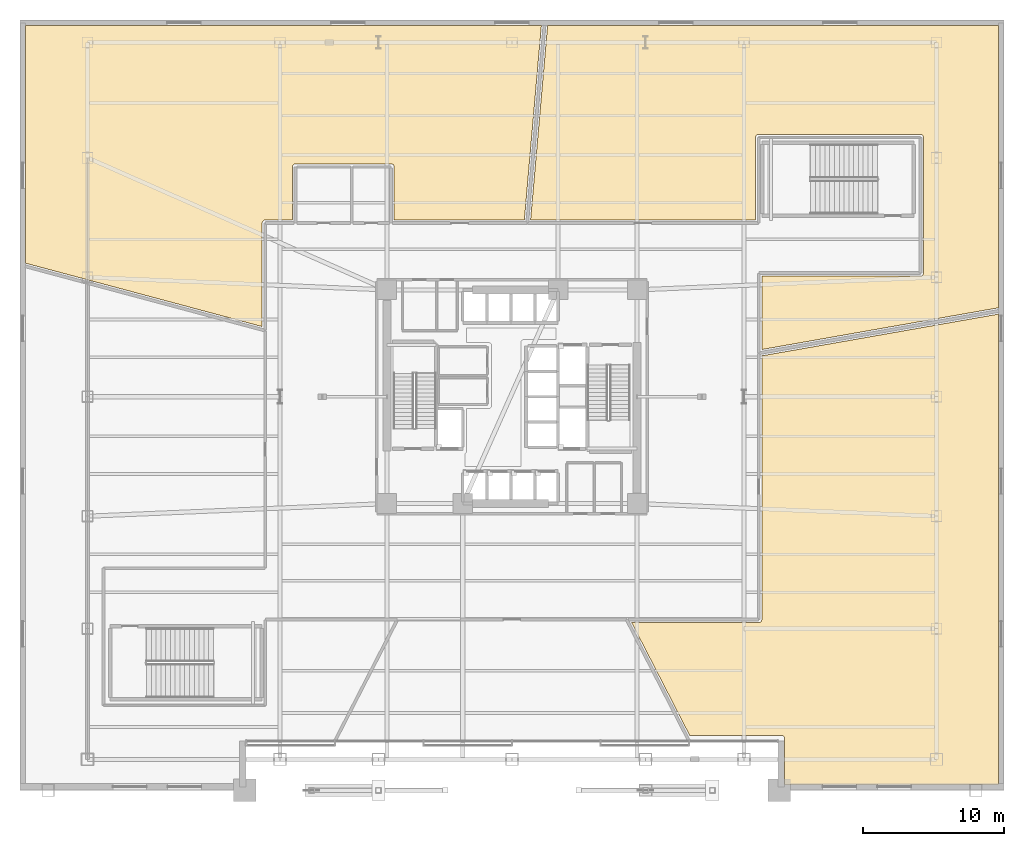
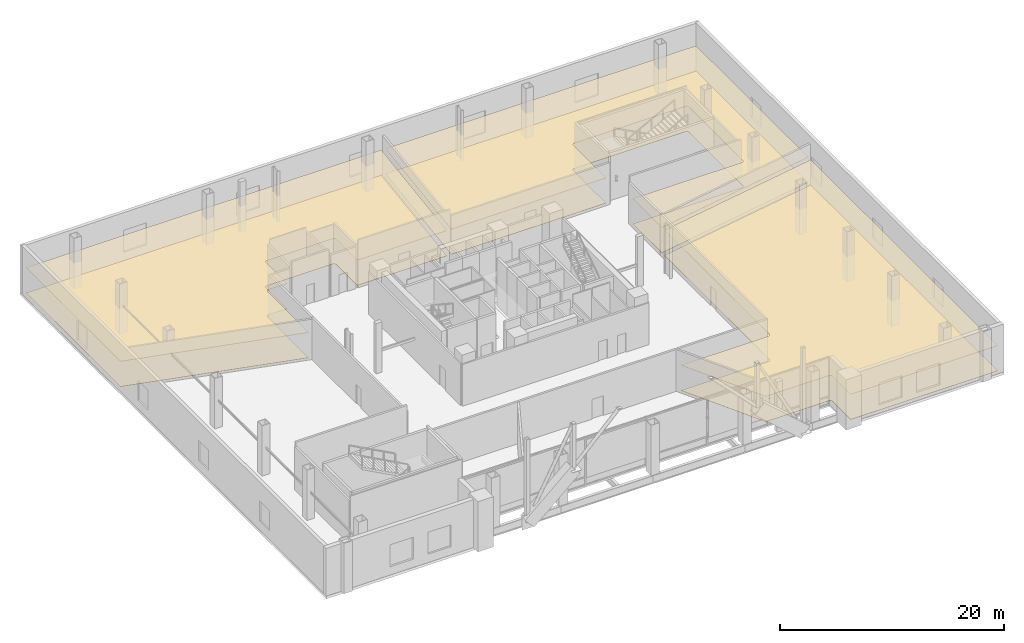
# One storey, part 15 of 16: 6 coverings.
"""IFC4 building model written with IfcOpenShell, lengths in metres."""

import ifcopenshell
import ifcopenshell.guid

model = None  # the IFC model being written
_history = None  # IfcOwnerHistory: only IFC2X3 demands one
_inside = {}  # id of a spatial element -> (the spatial element, [elements in it])
_under = {}  # id of a project, library or spatial element -> (it, [spatial elements below it])
_declared = {}  # id of a project -> (the project, [libraries it declares])
_typed = {}  # id of a type object -> (the type object, [elements of that type])
_made_of = {}  # id of a material, layer set ... -> (it, [elements and type objects made of it])


def new_model(schema):
    """Start an empty IFC model of exactly this schema.

    Asked for "IFC4X3", IfcOpenShell would pick the latest addendum, in which some entities
    have other attributes; the version numbers below select the first issue.
    IFC2X3 requires an IfcOwnerHistory on every rooted entity: one is made here for all.
    """
    global model, _history
    if schema == "IFC4X3":
        model = ifcopenshell.file(schema_version=(4, 3, 0, 0))
    else:
        model = ifcopenshell.file(schema=schema)
    _inside.clear()
    _under.clear()
    _declared.clear()
    _typed.clear()
    _made_of.clear()
    _history = None
    if model.schema == "IFC2X3":
        org = make("IfcOrganization", Name="unknown")
        user = make(
            "IfcPersonAndOrganization",
            ThePerson=make("IfcPerson", FamilyName="unknown"),
            TheOrganization=org,
        )
        app = make(
            "IfcApplication",
            ApplicationDeveloper=org,
            Version="unknown",
            ApplicationFullName="unknown",
            ApplicationIdentifier="unknown",
        )
        _history = make(
            "IfcOwnerHistory",
            OwningUser=user,
            OwningApplication=app,
            ChangeAction="ADDED",
            CreationDate=0,
        )
    return model


def make(cls, **values):
    """One entity of the class cls with the attributes given. An attribute that is None is left unset."""
    return model.create_entity(
        cls, **{name: value for name, value in values.items() if value is not None}
    )


def rooted(cls, **values):
    """An entity with a GlobalId (a new one), such as an element, a storey or a relation."""
    return make(cls, GlobalId=ifcopenshell.guid.new(), OwnerHistory=_history, **values)


def si_unit(unit_type, name, prefix=None):
    """IfcSIUnit, for example si_unit("LENGTHUNIT", "METRE", prefix="MILLI")."""
    return make("IfcSIUnit", UnitType=unit_type, Prefix=prefix, Name=name)


def assignment(units):
    """IfcUnitAssignment: the units of a project."""
    return None if units is None else make("IfcUnitAssignment", Units=units)


def point(xyz):
    """IfcCartesianPoint."""
    return None if xyz is None else make("IfcCartesianPoint", Coordinates=xyz)


def direction(xyz):
    """IfcDirection."""
    return None if xyz is None else make("IfcDirection", DirectionRatios=xyz)


def frame(location, z_axis=None, x_axis=None):
    """IfcAxis2Placement3D, a coordinate frame: its origin and axes. An axis left out is left unset."""
    return make(
        "IfcAxis2Placement3D",
        Location=point(location),
        Axis=direction(z_axis),
        RefDirection=direction(x_axis),
    )


def origin():
    """The frame at (0, 0, 0) with its axes left unset."""
    return frame((0.0, 0.0, 0.0))


def place(relative_to, where):
    """IfcLocalPlacement: puts the frame where relative to a parent placement (None: the world)."""
    return make(
        "IfcLocalPlacement", PlacementRelTo=relative_to, RelativePlacement=where
    )


def context(
    kind, dimensions, precision=None, world=None, true_north=None, identifier=None
):
    """IfcGeometricRepresentationContext, for example the 3D "Model" context."""
    return make(
        "IfcGeometricRepresentationContext",
        ContextIdentifier=identifier,
        ContextType=kind,
        CoordinateSpaceDimension=dimensions,
        Precision=precision,
        WorldCoordinateSystem=world,
        TrueNorth=true_north,
    )


def subcontext(parent, identifier, kind, view, scale=None):
    """IfcGeometricRepresentationSubContext, for example "Body" below "Model"."""
    return make(
        "IfcGeometricRepresentationSubContext",
        ContextIdentifier=identifier,
        ContextType=kind,
        ParentContext=parent,
        TargetScale=scale,
        TargetView=view,
    )


def project(units=None, contexts=None):
    """IfcProject with its units and contexts."""
    return rooted(
        "IfcProject",
        Name="project",
        RepresentationContexts=contexts,
        UnitsInContext=assignment(units),
    )


def spatial(cls, under=None, at=None, **own):
    """A site, building, storey or space (cls), placed at a placement, below another one or the project."""
    s = rooted(cls, ObjectPlacement=at, **own)
    if under is not None:
        _under.setdefault(under.id(), (under, []))[1].append(s)
    return s


def polyline(points):
    """IfcPolyline through the points."""
    return make("IfcPolyline", Points=[point(p) for p in points])


def outline(outer, holes=None, kind="AREA"):
    """IfcArbitraryClosedProfileDef: a profile drawn as a closed curve; with holes, ...WithVoids."""
    if holes is None:
        return make("IfcArbitraryClosedProfileDef", ProfileType=kind, OuterCurve=outer)
    return make(
        "IfcArbitraryProfileDefWithVoids",
        ProfileType=kind,
        OuterCurve=outer,
        InnerCurves=holes,
    )


def extrude(swept, where, along, depth):
    """IfcExtrudedAreaSolid: the profile swept, set in the frame where, extruded along a direction by depth."""
    return make(
        "IfcExtrudedAreaSolid",
        SweptArea=swept,
        Position=where,
        ExtrudedDirection=direction(along),
        Depth=depth,
    )


def shape(context_of_items, identifier, shape_type, items):
    """IfcShapeRepresentation: the items that make up one representation, for example the "Body"."""
    return make(
        "IfcShapeRepresentation",
        ContextOfItems=context_of_items,
        RepresentationIdentifier=identifier,
        RepresentationType=shape_type,
        Items=items,
    )


def material(Name=None, Category=None):
    """IfcMaterial."""
    return make("IfcMaterial", Name=Name, Category=Category)


def layer(
    of_material, thickness, ventilated=None, Name=None, Category=None, Priority=None
):
    """IfcMaterialLayer: one layer of a wall or slab, of a material (None: an air gap)."""
    return make(
        "IfcMaterialLayer",
        Material=of_material,
        LayerThickness=thickness,
        IsVentilated=ventilated,
        Name=Name,
        Category=Category,
        Priority=Priority,
    )


def layer_set(layers, Name=None):
    """IfcMaterialLayerSet."""
    return make("IfcMaterialLayerSet", MaterialLayers=layers, LayerSetName=Name)


def made_of(thing, what):
    """Note that an element or type object is made of a material, layer set ...; save() writes the relation."""
    if what is not None:
        _made_of.setdefault(what.id(), (what, []))[1].append(thing)
    return thing


def type_object(cls, material=None, **own):
    """A type object (cls), such as IfcWallType, which elements share."""
    return made_of(rooted(cls, **own), material)


def element(
    cls,
    number,
    at=None,
    inside=None,
    cuts=None,
    type_object=None,
    material=None,
    context=None,
    identifier="Body",
    shape_type=None,
    held_by="IfcProductDefinitionShape",
    body=None,
    shapes=None,
    **own,
):
    """One element of the class cls, such as IfcWall. Its Tag is "e" and its number.

    at: its placement. inside: the storey or other place that contains it. cuts: it is an
    opening in that element (IfcRelVoidsElement). A single representation is given by context,
    identifier, shape_type and body (its items); several are given by shapes. held_by: the class
    of the entity that holds the representations. save() writes the other relations.
    """
    e = rooted(cls, Tag="e%d" % number, ObjectPlacement=at, **own)
    if body is not None:
        shapes = [shape(context, identifier, shape_type, body)]
    if shapes is not None:
        e.Representation = make(held_by, Representations=shapes)
    if inside is not None:
        _inside.setdefault(inside.id(), (inside, []))[1].append(e)
    if cuts is not None:
        rooted(
            "IfcRelVoidsElement", RelatingBuildingElement=cuts, RelatedOpeningElement=e
        )
    if type_object is not None:
        _typed.setdefault(type_object.id(), (type_object, []))[1].append(e)
    return made_of(e, material)


def aggregate(whole, parts):
    """IfcRelAggregates: a whole, such as a stair, and the parts it consists of."""
    return rooted("IfcRelAggregates", RelatingObject=whole, RelatedObjects=parts)


def save(model, path):
    """Write the relations noted so far, then the file.

    IfcRelAggregates (storeys below a building ...), IfcRelContainedInSpatialStructure (elements
    in a storey), IfcRelDefinesByType, IfcRelAssociatesMaterial and IfcRelDeclares: one each for
    every whole, place, type object, material and project.
    """
    for whole, parts in _under.values():
        aggregate(whole, parts)
    for where, things in _inside.values():
        rooted(
            "IfcRelContainedInSpatialStructure",
            RelatedElements=things,
            RelatingStructure=where,
        )
    for kind, things in _typed.values():
        rooted("IfcRelDefinesByType", RelatedObjects=things, RelatingType=kind)
    for what, things in _made_of.values():
        rooted("IfcRelAssociatesMaterial", RelatedObjects=things, RelatingMaterial=what)
    for by, libraries in _declared.values():
        rooted("IfcRelDeclares", RelatingContext=by, RelatedDefinitions=libraries)
    model.write(path)


model = new_model("IFC4")

# Units and contexts
model_context = context("Model", 3, precision=1e-05, world=origin(), true_north=direction((0.0, 1.0)))
body_context = subcontext(model_context, "Body", "Model", "MODEL_VIEW")
ifc_project = project(units=[si_unit("LENGTHUNIT", "METRE"), si_unit("AREAUNIT", "SQUARE_METRE"), si_unit("VOLUMEUNIT", "CUBIC_METRE"), si_unit("PLANEANGLEUNIT", "RADIAN"), si_unit("MASSUNIT", "GRAM", prefix="KILO")], contexts=[model_context])

# Site, building, storey
site_placement = place(None, origin())
site = spatial("IfcSite", under=ifc_project, at=site_placement, CompositionType="ELEMENT")
building_placement = place(site_placement, origin())
building = spatial("IfcBuilding", under=site, at=building_placement, Name="Tharavind Bronze Gate", CompositionType="ELEMENT")
storey_placement = place(building_placement, frame((0.0, 0.0, 5.5)))
storey = spatial("IfcBuildingStorey", under=building, at=storey_placement, Name="L01", CompositionType="ELEMENT", Elevation=5.5)

# Coverings
ifc_material_1 = material(Name="Perforated Bronze Acoustic Panel", Category="bronze")
ifc_layer_1 = layer(ifc_material_1, 0.044921875)
ifc_layer_set_1 = layer_set([ifc_layer_1], Name="Perforated Bronze Acoustic Panel")
covering_type_1 = type_object("IfcCoveringType", Name="ACOUSTIC BRONZE BAFFLE CEILING", PredefinedType="CEILING", material=ifc_layer_set_1)
covering_1_placement = place(storey_placement, frame((0.0, 0.0, 2.75)))
element("IfcCovering", 1, at=covering_1_placement, inside=storey, type_object=covering_type_1, Name="L01-PD-01 suspended ceiling", PredefinedType="CEILING", context=body_context, shape_type="SweptSolid", body=[
    extrude(outline(polyline([(17.330078125, 12.570068359375), (17.330078125, 18.449462890625), (17.330322265625, 18.460205078125), (17.330322265625, 18.460693359375), (17.33251953125, 18.482421875), (17.336669921875, 18.50341796875), (17.343017578125, 18.524169921875), (17.351318359375, 18.5439453125), (17.361328125, 18.56298828125), (17.373291015625, 18.5810546875), (17.386962890625, 18.59765625), (17.40234375, 18.613037109375), (17.4189453125, 18.626708984375), (17.43701171875, 18.638671875), (17.4560546875, 18.648681640625), (17.475830078125, 18.656982421875), (17.49658203125, 18.663330078125), (17.517578125, 18.66748046875), (17.539306640625, 18.669677734375), (17.539794921875, 18.669677734375), (17.550537109375, 18.669921875), (29.04931640625, 18.669921875), (29.060302734375, 18.669677734375), (29.060791015625, 18.669677734375), (29.082275390625, 18.66748046875), (29.103515625, 18.663330078125), (29.1240234375, 18.656982421875), (29.14404296875, 18.648681640625), (29.1630859375, 18.638671875), (29.180908203125, 18.626708984375), (29.19775390625, 18.613037109375), (29.212890625, 18.59765625), (29.226806640625, 18.5810546875), (29.23876953125, 18.56298828125), (29.248779296875, 18.5439453125), (29.257080078125, 18.524169921875), (29.263427734375, 18.50341796875), (29.267578125, 18.482421875), (29.269775390625, 18.460693359375), (29.269775390625, 18.460205078125), (29.27001953125, 18.449462890625), (29.27001953125, 8.800537109375), (29.269775390625, 8.789794921875), (29.269775390625, 8.789306640625), (29.267578125, 8.767578125), (29.263427734375, 8.74658203125), (29.257080078125, 8.725830078125), (29.248779296875, 8.7060546875), (29.23876953125, 8.68701171875), (29.226806640625, 8.6689453125), (29.212890625, 8.65234375), (29.19775390625, 8.636962890625), (29.180908203125, 8.623291015625), (29.1630859375, 8.611328125), (29.14404296875, 8.601318359375), (29.1240234375, 8.593017578125), (29.103515625, 8.586669921875), (29.082275390625, 8.58251953125), (29.060791015625, 8.580322265625), (29.060302734375, 8.580322265625), (29.04931640625, 8.580078125), (17.77001953125, 8.580078125), (17.77001953125, 3.356689453125), (34.60009765625, 6.32421875), (34.60009765625, 26.39990234375), (2.530517578125, 26.39990234375), (1.320556640625, 12.570068359375), (17.330078125, 12.570068359375)])), origin(), (0.0, 0.0, 1.0), 0.034912109375),
])
covering_2_placement = place(storey_placement, frame((0.0, 0.0, 2.75)))
element("IfcCovering", 2, at=covering_2_placement, inside=storey, type_object=covering_type_1, Name="L01-PD-02 suspended ceiling", PredefinedType="CEILING", context=body_context, shape_type="SweptSolid", body=[
    extrude(outline(polyline([(-34.60009765625, 9.498779296875), (-17.77001953125, 4.9892578125), (-17.77001953125, 12.349365234375), (-17.769775390625, 12.360107421875), (-17.769775390625, 12.36083984375), (-17.767578125, 12.38232421875), (-17.763427734375, 12.4033203125), (-17.757080078125, 12.424072265625), (-17.748779296875, 12.444091796875), (-17.73876953125, 12.463134765625), (-17.726806640625, 12.48095703125), (-17.712890625, 12.497802734375), (-17.69775390625, 12.512939453125), (-17.680908203125, 12.526611328125), (-17.6630859375, 12.538818359375), (-17.64404296875, 12.548828125), (-17.6240234375, 12.55712890625), (-17.603515625, 12.5634765625), (-17.582275390625, 12.567626953125), (-17.560791015625, 12.569580078125), (-17.560302734375, 12.569580078125), (-17.54931640625, 12.570068359375), (-15.6201171875, 12.570068359375), (-15.6201171875, 16.349365234375), (-15.61962890625, 16.360107421875), (-15.61962890625, 16.36083984375), (-15.61767578125, 16.38232421875), (-15.61328125, 16.4033203125), (-15.607177734375, 16.424072265625), (-15.598876953125, 16.444091796875), (-15.588623046875, 16.463134765625), (-15.57666015625, 16.48095703125), (-15.56298828125, 16.497802734375), (-15.547607421875, 16.512939453125), (-15.531005859375, 16.526611328125), (-15.51318359375, 16.538818359375), (-15.493896484375, 16.548828125), (-15.47412109375, 16.55712890625), (-15.453369140625, 16.5634765625), (-15.432373046875, 16.567626953125), (-15.410888671875, 16.569580078125), (-15.41015625, 16.569580078125), (-15.3994140625, 16.570068359375), (-8.6005859375, 16.570068359375), (-8.58984375, 16.569580078125), (-8.589111328125, 16.569580078125), (-8.567626953125, 16.567626953125), (-8.546630859375, 16.5634765625), (-8.52587890625, 16.55712890625), (-8.506103515625, 16.548828125), (-8.48681640625, 16.538818359375), (-8.468994140625, 16.526611328125), (-8.452392578125, 16.512939453125), (-8.43701171875, 16.497802734375), (-8.42333984375, 16.48095703125), (-8.411376953125, 16.463134765625), (-8.401123046875, 16.444091796875), (-8.392822265625, 16.424072265625), (-8.38671875, 16.4033203125), (-8.38232421875, 16.38232421875), (-8.38037109375, 16.36083984375), (-8.38037109375, 16.360107421875), (-8.3798828125, 16.349365234375), (-8.3798828125, 12.570068359375), (0.87890625, 12.570068359375), (2.0888671875, 26.39990234375), (-34.60009765625, 26.39990234375), (-34.60009765625, 9.498779296875)])), origin(), (0.0, 0.0, 1.0), 0.034912109375),
])
ifc_material_2 = material(Name="Engineered Oak & Carpet Tile", Category="wood")
ifc_layer_2 = layer(ifc_material_2, 0.02490234375)
ifc_layer_set_2 = layer_set([ifc_layer_2], Name="Engineered Oak & Carpet Tile")
covering_type_2 = type_object("IfcCoveringType", Name="ENGINEERED TIMBER FLOORING", PredefinedType="FLOORING", material=ifc_layer_set_2)
covering_3_placement = place(storey_placement, origin())
element("IfcCovering", 3, at=covering_3_placement, inside=storey, type_object=covering_type_2, Name="L01-PD-05 floor finish", PredefinedType="FLOORING", context=body_context, shape_type="SweptSolid", body=[
    extrude(outline(polyline([(12.643798828125, -24.10009765625), (19.179443359375, -24.10009765625), (19.190185546875, -24.100341796875), (19.19091796875, -24.100341796875), (19.21240234375, -24.102294921875), (19.2333984375, -24.106689453125), (19.254150390625, -24.11279296875), (19.27392578125, -24.12109375), (19.293212890625, -24.13134765625), (19.31103515625, -24.143310546875), (19.32763671875, -24.156982421875), (19.343017578125, -24.17236328125), (19.356689453125, -24.18896484375), (19.36865234375, -24.206787109375), (19.37890625, -24.22607421875), (19.38720703125, -24.245849609375), (19.393310546875, -24.2666015625), (19.397705078125, -24.28759765625), (19.399658203125, -24.30908203125), (19.399658203125, -24.309814453125), (19.39990234375, -24.320556640625), (19.39990234375, -27.60009765625), (34.60009765625, -27.60009765625), (34.60009765625, 5.87744140625), (17.77001953125, 2.909912109375), (17.77001953125, -15.849365234375), (17.769775390625, -15.860107421875), (17.769775390625, -15.86083984375), (17.767578125, -15.88232421875), (17.763427734375, -15.9033203125), (17.757080078125, -15.924072265625), (17.748779296875, -15.944091796875), (17.73876953125, -15.963134765625), (17.726806640625, -15.98095703125), (17.712890625, -15.997802734375), (17.69775390625, -16.012939453125), (17.680908203125, -16.026611328125), (17.6630859375, -16.038818359375), (17.64404296875, -16.048828125), (17.6240234375, -16.05712890625), (17.603515625, -16.0634765625), (17.582275390625, -16.067626953125), (17.560791015625, -16.069580078125), (17.560302734375, -16.069580078125), (17.54931640625, -16.070068359375), (8.51318359375, -16.070068359375), (12.643798828125, -24.10009765625)])), origin(), (0.0, 0.0, 1.0), 0.02490234375),
])
ifc_material_3 = material(Name="Acoustic Gypsum Board", Category="gypsum")
ifc_layer_3 = layer(ifc_material_3, 0.030029296875)
ifc_layer_set_3 = layer_set([ifc_layer_3], Name="Acoustic Gypsum Board")
covering_type_3 = type_object("IfcCoveringType", Name="GYPSUM SUSPENDED CEILING", PredefinedType="CEILING", material=ifc_layer_set_3)
covering_4_placement = place(storey_placement, frame((0.0, 0.0, 2.75)))
element("IfcCovering", 4, at=covering_4_placement, inside=storey, type_object=covering_type_3, Name="L01-PD-05 suspended ceiling", PredefinedType="CEILING", context=body_context, shape_type="SweptSolid", body=[
    extrude(outline(polyline([(12.643798828125, -24.10009765625), (19.179443359375, -24.10009765625), (19.190185546875, -24.100341796875), (19.19091796875, -24.100341796875), (19.21240234375, -24.102294921875), (19.2333984375, -24.106689453125), (19.254150390625, -24.11279296875), (19.27392578125, -24.12109375), (19.293212890625, -24.13134765625), (19.31103515625, -24.143310546875), (19.32763671875, -24.156982421875), (19.343017578125, -24.17236328125), (19.356689453125, -24.18896484375), (19.36865234375, -24.206787109375), (19.37890625, -24.22607421875), (19.38720703125, -24.245849609375), (19.393310546875, -24.2666015625), (19.397705078125, -24.28759765625), (19.399658203125, -24.30908203125), (19.399658203125, -24.309814453125), (19.39990234375, -24.320556640625), (19.39990234375, -27.60009765625), (34.60009765625, -27.60009765625), (34.60009765625, 5.87744140625), (17.77001953125, 2.909912109375), (17.77001953125, -15.849365234375), (17.769775390625, -15.860107421875), (17.769775390625, -15.86083984375), (17.767578125, -15.88232421875), (17.763427734375, -15.9033203125), (17.757080078125, -15.924072265625), (17.748779296875, -15.944091796875), (17.73876953125, -15.963134765625), (17.726806640625, -15.98095703125), (17.712890625, -15.997802734375), (17.69775390625, -16.012939453125), (17.680908203125, -16.026611328125), (17.6630859375, -16.038818359375), (17.64404296875, -16.048828125), (17.6240234375, -16.05712890625), (17.603515625, -16.0634765625), (17.582275390625, -16.067626953125), (17.560791015625, -16.069580078125), (17.560302734375, -16.069580078125), (17.54931640625, -16.070068359375), (8.51318359375, -16.070068359375), (12.643798828125, -24.10009765625)])), origin(), (0.0, 0.0, 1.0), 0.034912109375),
])
ifc_material_4 = material(Name="Honed Travertine Limestone", Category="masonry")
ifc_layer_4 = layer(ifc_material_4, 0.030029296875)
ifc_layer_set_4 = layer_set([ifc_layer_4], Name="Honed Travertine Limestone")
covering_type_4 = type_object("IfcCoveringType", Name="HONED LIMESTONE FLOORING", PredefinedType="FLOORING", material=ifc_layer_set_4)
covering_5_placement = place(storey_placement, origin())
element("IfcCovering", 5, at=covering_5_placement, inside=storey, type_object=covering_type_4, Name="L01-PD-01 floor finish", PredefinedType="FLOORING", context=body_context, shape_type="SweptSolid", body=[
    extrude(outline(polyline([(17.330078125, 12.570068359375), (17.330078125, 18.449462890625), (17.330322265625, 18.460205078125), (17.330322265625, 18.460693359375), (17.33251953125, 18.482421875), (17.336669921875, 18.50341796875), (17.343017578125, 18.524169921875), (17.351318359375, 18.5439453125), (17.361328125, 18.56298828125), (17.373291015625, 18.5810546875), (17.386962890625, 18.59765625), (17.40234375, 18.613037109375), (17.4189453125, 18.626708984375), (17.43701171875, 18.638671875), (17.4560546875, 18.648681640625), (17.475830078125, 18.656982421875), (17.49658203125, 18.663330078125), (17.517578125, 18.66748046875), (17.539306640625, 18.669677734375), (17.539794921875, 18.669677734375), (17.550537109375, 18.669921875), (29.04931640625, 18.669921875), (29.060302734375, 18.669677734375), (29.060791015625, 18.669677734375), (29.082275390625, 18.66748046875), (29.103515625, 18.663330078125), (29.1240234375, 18.656982421875), (29.14404296875, 18.648681640625), (29.1630859375, 18.638671875), (29.180908203125, 18.626708984375), (29.19775390625, 18.613037109375), (29.212890625, 18.59765625), (29.226806640625, 18.5810546875), (29.23876953125, 18.56298828125), (29.248779296875, 18.5439453125), (29.257080078125, 18.524169921875), (29.263427734375, 18.50341796875), (29.267578125, 18.482421875), (29.269775390625, 18.460693359375), (29.269775390625, 18.460205078125), (29.27001953125, 18.449462890625), (29.27001953125, 8.800537109375), (29.269775390625, 8.789794921875), (29.269775390625, 8.789306640625), (29.267578125, 8.767578125), (29.263427734375, 8.74658203125), (29.257080078125, 8.725830078125), (29.248779296875, 8.7060546875), (29.23876953125, 8.68701171875), (29.226806640625, 8.6689453125), (29.212890625, 8.65234375), (29.19775390625, 8.636962890625), (29.180908203125, 8.623291015625), (29.1630859375, 8.611328125), (29.14404296875, 8.601318359375), (29.1240234375, 8.593017578125), (29.103515625, 8.586669921875), (29.082275390625, 8.58251953125), (29.060791015625, 8.580322265625), (29.060302734375, 8.580322265625), (29.04931640625, 8.580078125), (17.77001953125, 8.580078125), (17.77001953125, 3.356689453125), (34.60009765625, 6.32421875), (34.60009765625, 26.39990234375), (2.530517578125, 26.39990234375), (1.320556640625, 12.570068359375), (17.330078125, 12.570068359375)])), origin(), (0.0, 0.0, 1.0), 0.02490234375),
])
covering_6_placement = place(storey_placement, origin())
element("IfcCovering", 6, at=covering_6_placement, inside=storey, type_object=covering_type_4, Name="L01-PD-02 floor finish", PredefinedType="FLOORING", context=body_context, shape_type="SweptSolid", body=[
    extrude(outline(polyline([(-34.60009765625, 9.498779296875), (-17.77001953125, 4.9892578125), (-17.77001953125, 12.349365234375), (-17.769775390625, 12.360107421875), (-17.769775390625, 12.36083984375), (-17.767578125, 12.38232421875), (-17.763427734375, 12.4033203125), (-17.757080078125, 12.424072265625), (-17.748779296875, 12.444091796875), (-17.73876953125, 12.463134765625), (-17.726806640625, 12.48095703125), (-17.712890625, 12.497802734375), (-17.69775390625, 12.512939453125), (-17.680908203125, 12.526611328125), (-17.6630859375, 12.538818359375), (-17.64404296875, 12.548828125), (-17.6240234375, 12.55712890625), (-17.603515625, 12.5634765625), (-17.582275390625, 12.567626953125), (-17.560791015625, 12.569580078125), (-17.560302734375, 12.569580078125), (-17.54931640625, 12.570068359375), (-15.6201171875, 12.570068359375), (-15.6201171875, 16.349365234375), (-15.61962890625, 16.360107421875), (-15.61962890625, 16.36083984375), (-15.61767578125, 16.38232421875), (-15.61328125, 16.4033203125), (-15.607177734375, 16.424072265625), (-15.598876953125, 16.444091796875), (-15.588623046875, 16.463134765625), (-15.57666015625, 16.48095703125), (-15.56298828125, 16.497802734375), (-15.547607421875, 16.512939453125), (-15.531005859375, 16.526611328125), (-15.51318359375, 16.538818359375), (-15.493896484375, 16.548828125), (-15.47412109375, 16.55712890625), (-15.453369140625, 16.5634765625), (-15.432373046875, 16.567626953125), (-15.410888671875, 16.569580078125), (-15.41015625, 16.569580078125), (-15.3994140625, 16.570068359375), (-8.6005859375, 16.570068359375), (-8.58984375, 16.569580078125), (-8.589111328125, 16.569580078125), (-8.567626953125, 16.567626953125), (-8.546630859375, 16.5634765625), (-8.52587890625, 16.55712890625), (-8.506103515625, 16.548828125), (-8.48681640625, 16.538818359375), (-8.468994140625, 16.526611328125), (-8.452392578125, 16.512939453125), (-8.43701171875, 16.497802734375), (-8.42333984375, 16.48095703125), (-8.411376953125, 16.463134765625), (-8.401123046875, 16.444091796875), (-8.392822265625, 16.424072265625), (-8.38671875, 16.4033203125), (-8.38232421875, 16.38232421875), (-8.38037109375, 16.36083984375), (-8.38037109375, 16.360107421875), (-8.3798828125, 16.349365234375), (-8.3798828125, 12.570068359375), (0.87890625, 12.570068359375), (2.0888671875, 26.39990234375), (-34.60009765625, 26.39990234375), (-34.60009765625, 9.498779296875)])), origin(), (0.0, 0.0, 1.0), 0.02490234375),
])

save(model, "model.ifc")
